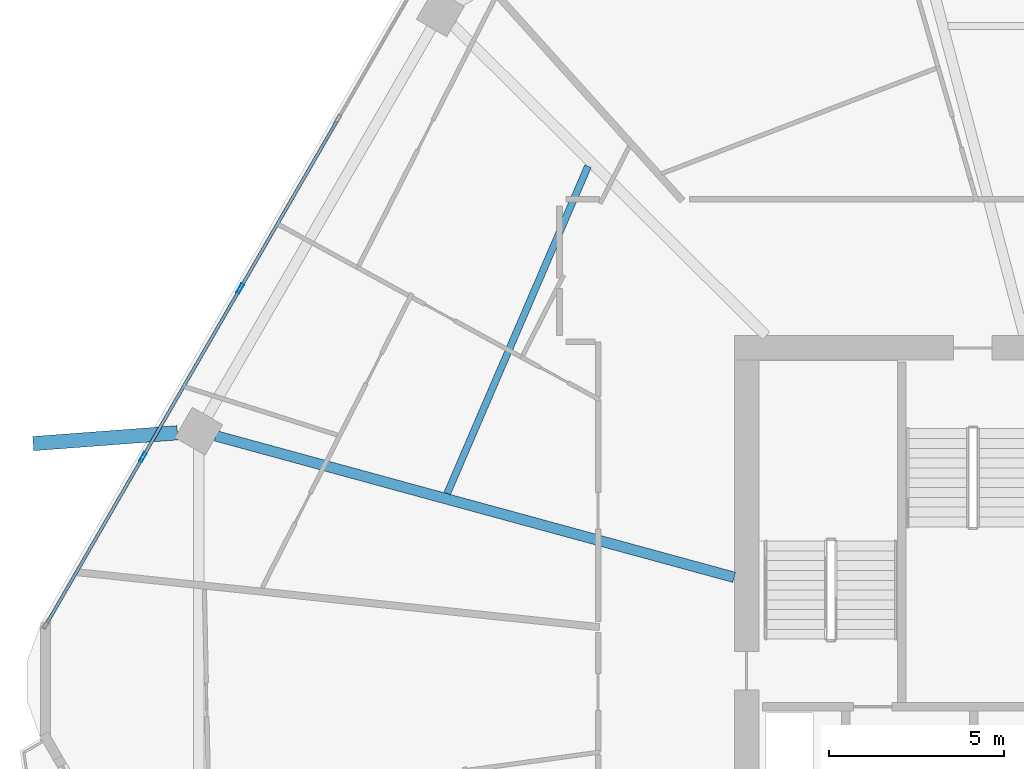
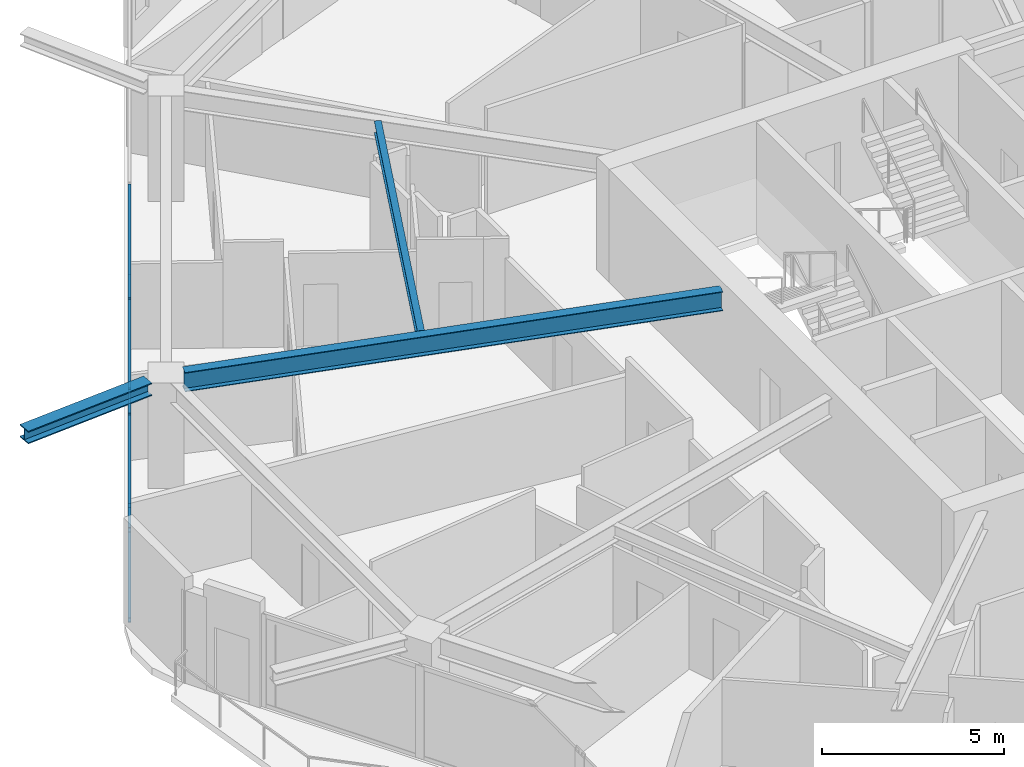
# One storey, part 10 of 26: 8 members, 3 beams, 1 element without a shape of its own.
"""IFC4 building model written with IfcOpenShell, lengths in metres."""

from ifc_helpers import new_model, si_unit, direction, frame, origin, origin_2d, place, context, subcontext, project, spatial, hollow_rectangle, i_section, extrude, material, material_profile, profile_set, type_object, element, aggregate, save


model = new_model("IFC4")

# Units and contexts
model_context = context("Model", 3, precision=1e-05, world=origin(), true_north=direction((0.0, 1.0)))
body_context = subcontext(model_context, "Body", "Model", "MODEL_VIEW")
ifc_project = project(units=[si_unit("LENGTHUNIT", "METRE"), si_unit("AREAUNIT", "SQUARE_METRE"), si_unit("VOLUMEUNIT", "CUBIC_METRE"), si_unit("PLANEANGLEUNIT", "RADIAN"), si_unit("MASSUNIT", "GRAM", prefix="KILO")], contexts=[model_context])

# Site, building, storey
site_placement = place(None, origin())
site = spatial("IfcSite", under=ifc_project, at=site_placement, CompositionType="ELEMENT")
building_placement = place(site_placement, origin())
building = spatial("IfcBuilding", under=site, at=building_placement, Name="Zuhravey Tower", CompositionType="ELEMENT")
storey_placement = place(building_placement, frame((0.0, 0.0, 158.0)))
storey = spatial("IfcBuildingStorey", under=building, at=storey_placement, Name="L39", CompositionType="ELEMENT", Elevation=158.0)

# Curtain wall, members
ifc_material_1 = material(Name="Thermally broken anodised aluminium", Category="aluminium")
curtain_wall_type = type_object("IfcCurtainWallType", Name="Zone 1-2 Residential Curtain Wall CW3", PredefinedType="NOTDEFINED", material=ifc_material_1)
curtain_wall_placement = place(storey_placement, origin())
curtain_wall = element("IfcCurtainWall", 1, at=curtain_wall_placement, inside=storey, type_object=curtain_wall_type, Name="L39 CW3 CW-L39-F3-1", PredefinedType="NOTDEFINED")
ifc_material_2 = material(Name="Anodised aluminium", Category="aluminium")
ifc_material_profile_1 = material_profile(ifc_material_2, hollow_rectangle(XDim=0.090087890625, YDim=0.284912109375, WallThickness=0.0048828125, at=origin_2d()), Name="ALU-RHS-90x285x5")
ifc_profile_set_1 = profile_set([ifc_material_profile_1], Name="Anodised aluminium")
member_type_1 = type_object("IfcMemberType", Name="Curtain-Wall Mullion 90x180", PredefinedType="MULLION", material=ifc_profile_set_1)
member_1_placement = place(storey_placement, frame((8.300537109375, 38.38916015625, 0.0), z_axis=(0.0, 0.0, 1.0), x_axis=(-0.866025138215, 0.500000459979, 0.0)))
member_1 = element("IfcMember", 2, at=member_1_placement, type_object=member_type_1, Name="CW3 mullion 2", PredefinedType="MULLION", context=body_context, shape_type="SweptSolid", body=[
    extrude(hollow_rectangle(XDim=0.090087890625, YDim=0.284912109375, WallThickness=0.0048828125, at=origin_2d()), origin(), (0.0, 0.0, 1.0), 3.1220703125),
])
member_2_placement = place(storey_placement, frame((11.07275390625, 43.190673828125, 0.0), z_axis=(0.0, 0.0, 1.0), x_axis=(-0.866025138215, 0.500000459979, 0.0)))
member_2 = element("IfcMember", 3, at=member_2_placement, type_object=member_type_1, Name="CW3 mullion 3", PredefinedType="MULLION", context=body_context, shape_type="SweptSolid", body=[
    extrude(hollow_rectangle(XDim=0.090087890625, YDim=0.284912109375, WallThickness=0.0048828125, at=origin_2d()), origin(), (0.0, 0.0, 1.0), 3.1220703125),
])
ifc_material_profile_2 = material_profile(ifc_material_2, hollow_rectangle(XDim=0.090087890625, YDim=0.14990234375, WallThickness=0.0048828125, at=origin_2d()), Name="ALU-RHS-90x150x5")
ifc_profile_set_2 = profile_set([ifc_material_profile_2], Name="Anodised aluminium")
member_type_2 = type_object("IfcMemberType", Name="Curtain-Wall Transom 90x150", PredefinedType="USERDEFINED", material=ifc_profile_set_2)
member_3_placement = place(storey_placement, frame((5.5732421875, 33.66552734375, 0.044921875), z_axis=(0.499993332629, 0.866029253159, 0.0), x_axis=(-0.866029253159, 0.499993332629, 0.0)))
member_3 = element("IfcMember", 4, at=member_3_placement, type_object=member_type_2, Name="CW3 transom 1.1", ObjectType="TRANSOM", PredefinedType="USERDEFINED", context=body_context, shape_type="SweptSolid", body=[
    extrude(hollow_rectangle(XDim=0.090087890625, YDim=0.14990234375, WallThickness=0.0048828125, at=origin_2d()), origin(), (0.0, 0.0, 1.0), 5.4091796875),
])
member_4_placement = place(storey_placement, frame((5.5732421875, 33.66552734375, 3.076904296875), z_axis=(0.499993332629, 0.866029253159, 0.0), x_axis=(-0.866029253159, 0.499993332629, 0.0)))
member_4 = element("IfcMember", 5, at=member_4_placement, type_object=member_type_2, Name="CW3 transom 1.2", ObjectType="TRANSOM", PredefinedType="USERDEFINED", context=body_context, shape_type="SweptSolid", body=[
    extrude(hollow_rectangle(XDim=0.090087890625, YDim=0.14990234375, WallThickness=0.0048828125, at=origin_2d()), origin(), (0.0, 0.0, 1.0), 5.4091796875),
])
member_5_placement = place(storey_placement, frame((8.322998046875, 38.427978515625, 0.044921875), z_axis=(0.49996138257, 0.86604769842, 0.0), x_axis=(-0.86604769842, 0.49996138257, 0.0)))
member_5 = element("IfcMember", 6, at=member_5_placement, type_object=member_type_2, Name="CW3 transom 2.1", ObjectType="TRANSOM", PredefinedType="USERDEFINED", context=body_context, shape_type="SweptSolid", body=[
    extrude(hollow_rectangle(XDim=0.090087890625, YDim=0.14990234375, WallThickness=0.0048828125, at=origin_2d()), origin(), (0.0, 0.0, 1.0), 5.45458984375),
])
member_6_placement = place(storey_placement, frame((8.322998046875, 38.427978515625, 3.076904296875), z_axis=(0.49996138257, 0.86604769842, 0.0), x_axis=(-0.86604769842, 0.49996138257, 0.0)))
member_6 = element("IfcMember", 7, at=member_6_placement, type_object=member_type_2, Name="CW3 transom 2.2", ObjectType="TRANSOM", PredefinedType="USERDEFINED", context=body_context, shape_type="SweptSolid", body=[
    extrude(hollow_rectangle(XDim=0.090087890625, YDim=0.14990234375, WallThickness=0.0048828125, at=origin_2d()), origin(), (0.0, 0.0, 1.0), 5.45458984375),
])
member_7_placement = place(storey_placement, frame((11.09521484375, 43.229736328125, 0.044921875), z_axis=(0.499980763544, 0.866036509673, 0.0), x_axis=(-0.866036509673, 0.499980763544, 0.0)))
member_7 = element("IfcMember", 8, at=member_7_placement, type_object=member_type_2, Name="CW3 transom 3.1", ObjectType="TRANSOM", PredefinedType="USERDEFINED", context=body_context, shape_type="SweptSolid", body=[
    extrude(hollow_rectangle(XDim=0.090087890625, YDim=0.14990234375, WallThickness=0.0048828125, at=origin_2d()), origin(), (0.0, 0.0, 1.0), 5.454345703125),
])
member_8_placement = place(storey_placement, frame((11.09521484375, 43.229736328125, 3.076904296875), z_axis=(0.499980763544, 0.866036509673, 0.0), x_axis=(-0.866036509673, 0.499980763544, 0.0)))
member_8 = element("IfcMember", 9, at=member_8_placement, type_object=member_type_2, Name="CW3 transom 3.2", ObjectType="TRANSOM", PredefinedType="USERDEFINED", context=body_context, shape_type="SweptSolid", body=[
    extrude(hollow_rectangle(XDim=0.090087890625, YDim=0.14990234375, WallThickness=0.0048828125, at=origin_2d()), origin(), (0.0, 0.0, 1.0), 5.454345703125),
])
aggregate(curtain_wall, [member_1, member_2, member_3, member_4, member_5, member_6, member_7, member_8])

# Beams
ifc_material_3 = material(Name="Steel SM460", Category="steel")
ifc_material_profile_3 = material_profile(ifc_material_3, i_section(OverallWidth=0.406982421875, OverallDepth=0.427978515625, WebThickness=0.02001953125, FlangeThickness=0.034912109375, at=origin_2d()), Name="H-428x407x20x35")
ifc_profile_set_3 = profile_set([ifc_material_profile_3], Name="Steel SM460")
beam_type_1 = type_object("IfcBeamType", Name="Exoskeleton Node Tie Beam H428x407", PredefinedType="BEAM", material=ifc_profile_set_3)
beam_1_placement = place(storey_placement, frame((9.284912109375, 39.0810546875, 3.3359375), z_axis=(-0.997195994678, -0.074834137925, 0.0), x_axis=(0.074834137925, -0.997195994678, 0.0)))
element("IfcBeam", 10, at=beam_1_placement, inside=storey, type_object=beam_type_1, Name="L39 Exoskeleton Node Tie NT1-06", PredefinedType="BEAM", context=body_context, shape_type="SweptSolid", body=[
    extrude(i_section(OverallWidth=0.406982421875, OverallDepth=0.427978515625, WebThickness=0.02001953125, FlangeThickness=0.034912109375, at=origin_2d()), origin(), (0.0, 0.0, 1.0), 4.120361328125),
])
ifc_material_4 = material(Name="Steel SM355", Category="steel")
ifc_material_profile_4 = material_profile(ifc_material_4, i_section(OverallWidth=0.300048828125, OverallDepth=0.64990234375, WebThickness=0.012939453125, FlangeThickness=0.02197265625, at=origin_2d()), Name="H-650x300x13x22")
ifc_profile_set_4 = profile_set([ifc_material_profile_4], Name="Steel SM355")
beam_type_2 = type_object("IfcBeamType", Name="Radial Primary Girder H650x300", PredefinedType="BEAM", material=ifc_profile_set_4)
beam_2_placement = place(storey_placement, frame((25.14697265625, 34.96240234375, 3.22509765625), z_axis=(-0.964701601771, 0.263345437667, 0.0), x_axis=(-0.263345437667, -0.964701601771, 0.0)))
element("IfcBeam", 11, at=beam_2_placement, inside=storey, type_object=beam_type_2, Name="L39 RG2 BM-L39-RAD-06", PredefinedType="BEAM", context=body_context, shape_type="SweptSolid", body=[
    extrude(i_section(OverallWidth=0.300048828125, OverallDepth=0.64990234375, WebThickness=0.012939453125, FlangeThickness=0.02197265625, at=origin_2d()), origin(), (0.0, 0.0, 1.0), 15.309814453125),
])
ifc_material_profile_5 = material_profile(ifc_material_4, i_section(OverallWidth=0.199951171875, OverallDepth=0.39990234375, WebThickness=0.008056640625, FlangeThickness=0.012939453125, at=origin_2d()), Name="H-400x200x8x13")
ifc_profile_set_5 = profile_set([ifc_material_profile_5], Name="Steel SM355")
beam_type_3 = type_object("IfcBeamType", Name="Secondary Floor Joist H400x200", PredefinedType="JOIST", material=ifc_profile_set_5)
beam_3_placement = place(storey_placement, frame((20.982421875, 46.676025390625, 3.35009765625), z_axis=(-0.395265853487, -0.918566766799, 0.0), x_axis=(0.918566766799, -0.395265853487, 0.0)))
element("IfcBeam", 12, at=beam_3_placement, inside=storey, type_object=beam_type_3, Name="L39 SJ2 BM-L39-SJ-05-1", PredefinedType="JOIST", context=body_context, shape_type="SweptSolid", body=[
    extrude(i_section(OverallWidth=0.199951171875, OverallDepth=0.39990234375, WebThickness=0.008056640625, FlangeThickness=0.012939453125, at=origin_2d()), origin(), (0.0, 0.0, 1.0), 10.150146484375),
])

save(model, "model.ifc")
